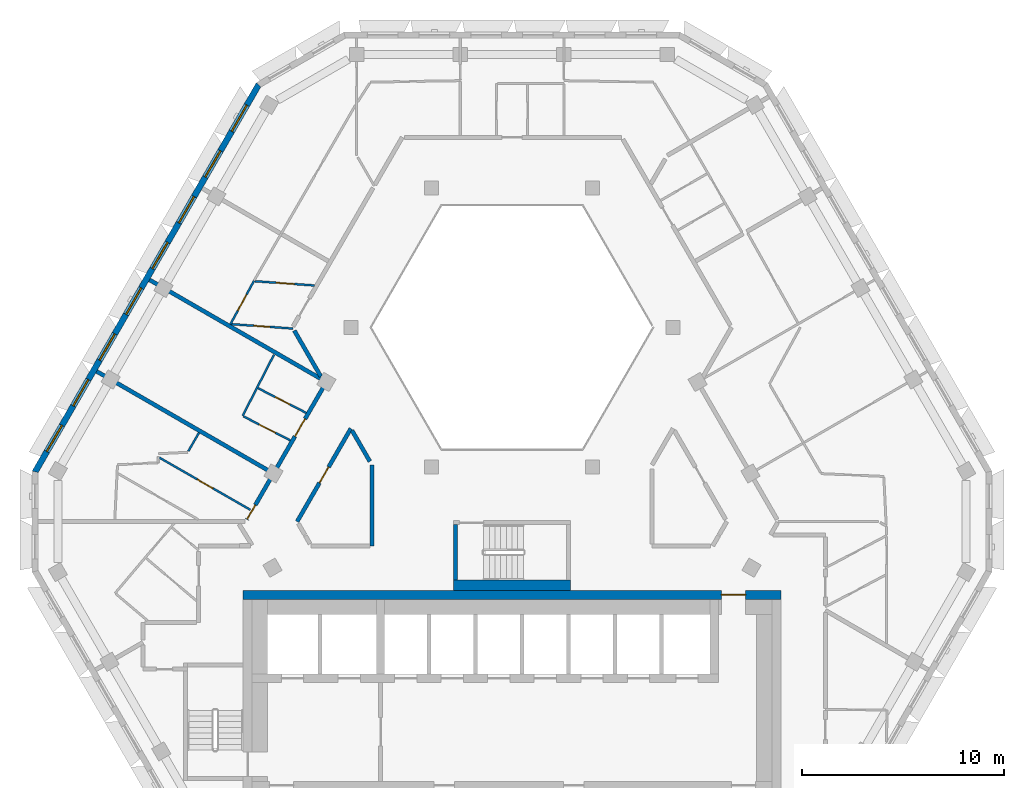
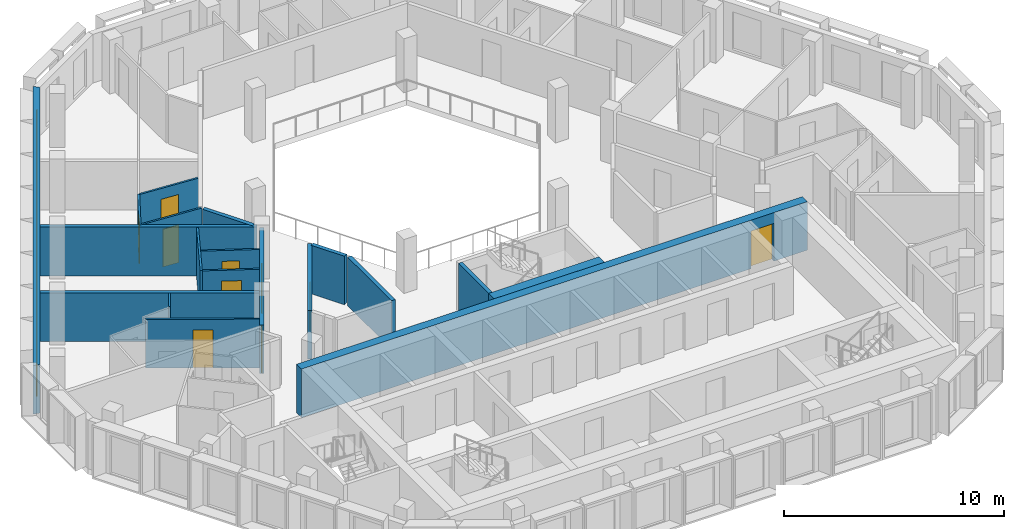
# One storey, part 5 of 16: 19 walls, 10 doors, 8 windows, 18 openings.
"""IFC4 building model written with IfcOpenShell, lengths in metres."""

from ifc_helpers import new_model, si_unit, direction, frame, frame_2d, origin, place, context, subcontext, project, spatial, polyline, rectangle, outline, extrude, material, layer, layer_set, type_object, element, fill, save


model = new_model("IFC4")

# Units and contexts
model_context = context("Model", 3, precision=1e-05, world=origin(), true_north=direction((0.0, 1.0)))
body_context = subcontext(model_context, "Body", "Model", "MODEL_VIEW")
ifc_project = project(units=[si_unit("LENGTHUNIT", "METRE"), si_unit("AREAUNIT", "SQUARE_METRE"), si_unit("VOLUMEUNIT", "CUBIC_METRE"), si_unit("PLANEANGLEUNIT", "RADIAN"), si_unit("MASSUNIT", "GRAM", prefix="KILO")], contexts=[model_context])

# Site, building, storey
site_placement = place(None, origin())
site = spatial("IfcSite", under=ifc_project, at=site_placement, CompositionType="ELEMENT")
building_placement = place(site_placement, origin())
building = spatial("IfcBuilding", under=site, at=building_placement, Name="Beryl Residences", CompositionType="ELEMENT")
storey_placement = place(building_placement, frame((0.0, 0.0, 208.800048828125)))
storey = spatial("IfcBuildingStorey", under=building, at=storey_placement, Name="L64", CompositionType="ELEMENT", Elevation=208.800048828125)

# Wall, openings, windows
ifc_material_1 = material(Name="Composite metal panel with mineral wool insulation")
ifc_layer_1 = layer(ifc_material_1, 0.300048828125)
ifc_layer_set_1 = layer_set([ifc_layer_1], Name="ES1 pale metal composite panel wall 300 mm")
wall_type_1 = type_object("IfcWallType", Name="ES1 pale metal composite panel wall 300 mm", PredefinedType="SOLIDWALL", material=ifc_layer_set_1)
wall_1_placement = place(storey_placement, frame((-12.513916015625, 20.02490234375, 0.0), z_axis=(0.0, 0.0, 1.0), x_axis=(-0.500003656944, -0.866023292436, 0.0)))
wall_1 = element("IfcWall", 1, at=wall_1_placement, inside=storey, type_object=wall_type_1, Name="ES1 external wall L64 NW", PredefinedType="SOLIDWALL", context=body_context, shape_type="SweptSolid", body=[
    extrude(outline(polyline([(0.0, -0.14990234375), (22.170166015625, -0.14990234375), (22.08984375, 0.14990234375), (0.080322265625, 0.14990234375), (0.0, -0.14990234375)])), origin(), (0.0, 0.0, 1.0), 2.699951171875),
])
opening_1_placement = place(wall_1_placement, frame((1.19091796875, 0.0, 0.14990234375)))
opening_1 = element("IfcOpeningElement", 2, at=opening_1_placement, cuts=wall_1, Name="Opening W1", PredefinedType="OPENING", context=body_context, shape_type="SweptSolid", body=[
    extrude(rectangle(XDim=1.5, YDim=2.10009765625, at=frame_2d((0.75, 1.050048828125))), frame((0.0, 0.159912109375, 0.0), z_axis=(0.0, -1.0, 0.0), x_axis=(1.0, 0.0, 0.0)), (0.0, 0.0, 1.0), 0.320068359375),
])
opening_2_placement = place(wall_1_placement, frame((3.803955078125, 0.0, 0.14990234375)))
opening_2 = element("IfcOpeningElement", 3, at=opening_2_placement, cuts=wall_1, Name="Opening W1", PredefinedType="OPENING", context=body_context, shape_type="SweptSolid", body=[
    extrude(rectangle(XDim=1.5, YDim=2.10009765625, at=frame_2d((0.75, 1.050048828125))), frame((0.0, 0.159912109375, 0.0), z_axis=(0.0, -1.0, 0.0), x_axis=(1.0, 0.0, 0.0)), (0.0, 0.0, 1.0), 0.320068359375),
])
opening_3_placement = place(wall_1_placement, frame((6.416015625, 0.0, 0.14990234375)))
opening_3 = element("IfcOpeningElement", 4, at=opening_3_placement, cuts=wall_1, Name="Opening W1", PredefinedType="OPENING", context=body_context, shape_type="SweptSolid", body=[
    extrude(rectangle(XDim=1.5, YDim=2.10009765625, at=frame_2d((0.75, 1.050048828125))), frame((0.0, 0.159912109375, 0.0), z_axis=(0.0, -1.0, 0.0), x_axis=(1.0, 0.0, 0.0)), (0.0, 0.0, 1.0), 0.320068359375),
])
opening_4_placement = place(wall_1_placement, frame((9.029052734375, 0.0, 0.14990234375)))
opening_4 = element("IfcOpeningElement", 5, at=opening_4_placement, cuts=wall_1, Name="Opening W1", PredefinedType="OPENING", context=body_context, shape_type="SweptSolid", body=[
    extrude(rectangle(XDim=1.5, YDim=2.10009765625, at=frame_2d((0.75, 1.050048828125))), frame((0.0, 0.159912109375, 0.0), z_axis=(0.0, -1.0, 0.0), x_axis=(1.0, 0.0, 0.0)), (0.0, 0.0, 1.0), 0.320068359375),
])
opening_5_placement = place(wall_1_placement, frame((11.64111328125, 0.0, 0.14990234375)))
opening_5 = element("IfcOpeningElement", 6, at=opening_5_placement, cuts=wall_1, Name="Opening W1", PredefinedType="OPENING", context=body_context, shape_type="SweptSolid", body=[
    extrude(rectangle(XDim=1.5, YDim=2.10009765625, at=frame_2d((0.75, 1.050048828125))), frame((0.0, 0.159912109375, 0.0), z_axis=(0.0, -1.0, 0.0), x_axis=(1.0, 0.0, 0.0)), (0.0, 0.0, 1.0), 0.320068359375),
])
opening_6_placement = place(wall_1_placement, frame((14.25390625, 0.0, 0.14990234375)))
opening_6 = element("IfcOpeningElement", 7, at=opening_6_placement, cuts=wall_1, Name="Opening W1", PredefinedType="OPENING", context=body_context, shape_type="SweptSolid", body=[
    extrude(rectangle(XDim=1.5, YDim=2.10009765625, at=frame_2d((0.75, 1.050048828125))), frame((0.0, 0.159912109375, 0.0), z_axis=(0.0, -1.0, 0.0), x_axis=(1.0, 0.0, 0.0)), (0.0, 0.0, 1.0), 0.320068359375),
])
opening_7_placement = place(wall_1_placement, frame((16.865966796875, 0.0, 0.14990234375)))
opening_7 = element("IfcOpeningElement", 8, at=opening_7_placement, cuts=wall_1, Name="Opening W1", PredefinedType="OPENING", context=body_context, shape_type="SweptSolid", body=[
    extrude(rectangle(XDim=1.5, YDim=2.10009765625, at=frame_2d((0.75, 1.050048828125))), frame((0.0, 0.159912109375, 0.0), z_axis=(0.0, -1.0, 0.0), x_axis=(1.0, 0.0, 0.0)), (0.0, 0.0, 1.0), 0.320068359375),
])
opening_8_placement = place(wall_1_placement, frame((19.47900390625, 0.0, 0.14990234375)))
opening_8 = element("IfcOpeningElement", 9, at=opening_8_placement, cuts=wall_1, Name="Opening W1", PredefinedType="OPENING", context=body_context, shape_type="SweptSolid", body=[
    extrude(rectangle(XDim=1.5, YDim=2.10009765625, at=frame_2d((0.75, 1.050048828125))), frame((0.0, 0.159912109375, 0.0), z_axis=(0.0, -1.0, 0.0), x_axis=(1.0, 0.0, 0.0)), (0.0, 0.0, 1.0), 0.320068359375),
])
ifc_material_2 = material(Name="Aluminium and clear glass", Category="aluminium")
window_type = type_object("IfcWindowType", Name="W1 cell window 1500 x 2100 mm", PartitioningType="SINGLE_PANEL", PredefinedType="WINDOW", material=ifc_material_2)
window_1_placement = place(opening_1_placement, origin())
window_1 = element("IfcWindow", 10, at=window_1_placement, inside=storey, type_object=window_type, Name="W1 window L64 NW 1", OverallHeight=2.10009765625, OverallWidth=1.5, PartitioningType="SINGLE_PANEL", PredefinedType="WINDOW", context=body_context, shape_type="SweptSolid", body=[
    extrude(rectangle(XDim=1.5, YDim=2.10009765625, at=frame_2d((0.75, 1.050048828125))), frame((0.0, 0.030029296875, 0.0), z_axis=(0.0, -1.0, 0.0), x_axis=(1.0, 0.0, 0.0)), (0.0, 0.0, 1.0), 0.06005859375),
])
fill(opening_1, window_1)
window_2_placement = place(opening_2_placement, origin())
window_2 = element("IfcWindow", 11, at=window_2_placement, inside=storey, type_object=window_type, Name="W1 window L64 NW 2", OverallHeight=2.10009765625, OverallWidth=1.5, PartitioningType="SINGLE_PANEL", PredefinedType="WINDOW", context=body_context, shape_type="SweptSolid", body=[
    extrude(rectangle(XDim=1.5, YDim=2.10009765625, at=frame_2d((0.75, 1.050048828125))), frame((0.0, 0.030029296875, 0.0), z_axis=(0.0, -1.0, 0.0), x_axis=(1.0, 0.0, 0.0)), (0.0, 0.0, 1.0), 0.06005859375),
])
fill(opening_2, window_2)
window_3_placement = place(opening_3_placement, origin())
window_3 = element("IfcWindow", 12, at=window_3_placement, inside=storey, type_object=window_type, Name="W1 window L64 NW 3", OverallHeight=2.10009765625, OverallWidth=1.5, PartitioningType="SINGLE_PANEL", PredefinedType="WINDOW", context=body_context, shape_type="SweptSolid", body=[
    extrude(rectangle(XDim=1.5, YDim=2.10009765625, at=frame_2d((0.75, 1.050048828125))), frame((0.0, 0.030029296875, 0.0), z_axis=(0.0, -1.0, 0.0), x_axis=(1.0, 0.0, 0.0)), (0.0, 0.0, 1.0), 0.06005859375),
])
fill(opening_3, window_3)
window_4_placement = place(opening_4_placement, origin())
window_4 = element("IfcWindow", 13, at=window_4_placement, inside=storey, type_object=window_type, Name="W1 window L64 NW 4", OverallHeight=2.10009765625, OverallWidth=1.5, PartitioningType="SINGLE_PANEL", PredefinedType="WINDOW", context=body_context, shape_type="SweptSolid", body=[
    extrude(rectangle(XDim=1.5, YDim=2.10009765625, at=frame_2d((0.75, 1.050048828125))), frame((0.0, 0.030029296875, 0.0), z_axis=(0.0, -1.0, 0.0), x_axis=(1.0, 0.0, 0.0)), (0.0, 0.0, 1.0), 0.06005859375),
])
fill(opening_4, window_4)
window_5_placement = place(opening_5_placement, origin())
window_5 = element("IfcWindow", 14, at=window_5_placement, inside=storey, type_object=window_type, Name="W1 window L64 NW 5", OverallHeight=2.10009765625, OverallWidth=1.5, PartitioningType="SINGLE_PANEL", PredefinedType="WINDOW", context=body_context, shape_type="SweptSolid", body=[
    extrude(rectangle(XDim=1.5, YDim=2.10009765625, at=frame_2d((0.75, 1.050048828125))), frame((0.0, 0.030029296875, 0.0), z_axis=(0.0, -1.0, 0.0), x_axis=(1.0, 0.0, 0.0)), (0.0, 0.0, 1.0), 0.06005859375),
])
fill(opening_5, window_5)
window_6_placement = place(opening_6_placement, origin())
window_6 = element("IfcWindow", 15, at=window_6_placement, inside=storey, type_object=window_type, Name="W1 window L64 NW 6", OverallHeight=2.10009765625, OverallWidth=1.5, PartitioningType="SINGLE_PANEL", PredefinedType="WINDOW", context=body_context, shape_type="SweptSolid", body=[
    extrude(rectangle(XDim=1.5, YDim=2.10009765625, at=frame_2d((0.75, 1.050048828125))), frame((0.0, 0.030029296875, 0.0), z_axis=(0.0, -1.0, 0.0), x_axis=(1.0, 0.0, 0.0)), (0.0, 0.0, 1.0), 0.06005859375),
])
fill(opening_6, window_6)
window_7_placement = place(opening_7_placement, origin())
window_7 = element("IfcWindow", 16, at=window_7_placement, inside=storey, type_object=window_type, Name="W1 window L64 NW 7", OverallHeight=2.10009765625, OverallWidth=1.5, PartitioningType="SINGLE_PANEL", PredefinedType="WINDOW", context=body_context, shape_type="SweptSolid", body=[
    extrude(rectangle(XDim=1.5, YDim=2.10009765625, at=frame_2d((0.75, 1.050048828125))), frame((0.0, 0.030029296875, 0.0), z_axis=(0.0, -1.0, 0.0), x_axis=(1.0, 0.0, 0.0)), (0.0, 0.0, 1.0), 0.06005859375),
])
fill(opening_7, window_7)
window_8_placement = place(opening_8_placement, origin())
window_8 = element("IfcWindow", 17, at=window_8_placement, inside=storey, type_object=window_type, Name="W1 window L64 NW 8", OverallHeight=2.10009765625, OverallWidth=1.5, PartitioningType="SINGLE_PANEL", PredefinedType="WINDOW", context=body_context, shape_type="SweptSolid", body=[
    extrude(rectangle(XDim=1.5, YDim=2.10009765625, at=frame_2d((0.75, 1.050048828125))), frame((0.0, 0.030029296875, 0.0), z_axis=(0.0, -1.0, 0.0), x_axis=(1.0, 0.0, 0.0)), (0.0, 0.0, 1.0), 0.06005859375),
])
fill(opening_8, window_8)

# Wall, opening, door
ifc_material_3 = material(Name="Gypsum board partition on steel studs", Category="steel")
ifc_layer_2 = layer(ifc_material_3, 0.10009765625)
ifc_layer_set_2 = layer_set([ifc_layer_2], Name="PT1 partition 100 mm gypsum board on steel studs")
wall_type_2 = type_object("IfcWallType", Name="PT1 partition 100 mm gypsum board on steel studs", PredefinedType="PARTITIONING", material=ifc_layer_set_2)
wall_2_placement = place(storey_placement, frame((-12.56201171875, 4.9951171875, 0.0), z_axis=(0.0, 0.0, 1.0), x_axis=(0.889807979554, -0.456335139478, 0.0)))
wall_2 = element("IfcWall", 18, at=wall_2_placement, inside=storey, type_object=wall_type_2, Name="Wall PT1 L64 015", PredefinedType="PARTITIONING", context=body_context, shape_type="SweptSolid", body=[
    extrude(rectangle(XDim=2.680419921875, YDim=0.10009765625, at=frame_2d((1.34033203125, 0.0))), origin(), (0.0, 0.0, 1.0), 2.699951171875),
])
opening_9_placement = place(wall_2_placement, frame((0.965087890625, 0.0, 0.0)))
opening_9 = element("IfcOpeningElement", 19, at=opening_9_placement, cuts=wall_2, Name="Opening D1816", PredefinedType="OPENING", context=body_context, shape_type="SweptSolid", body=[
    extrude(rectangle(XDim=0.800048828125, YDim=2.10009765625, at=frame_2d((0.39990234375, 1.050048828125))), frame((0.0, 0.06005859375, 0.0), z_axis=(0.0, -1.0, 0.0), x_axis=(1.0, 0.0, 0.0)), (0.0, 0.0, 1.0), 0.1201171875),
])
ifc_material_4 = material(Name="Timber door leaf", Category="wood")
door_type_1 = type_object("IfcDoorType", Name="D3 bathroom door 800 x 2100 mm", OperationType="SINGLE_SWING_LEFT", PredefinedType="DOOR", material=ifc_material_4)
door_1_placement = place(opening_9_placement, origin())
door_1 = element("IfcDoor", 20, at=door_1_placement, inside=storey, type_object=door_type_1, Name="Door D1816 L64 001", OperationType="SINGLE_SWING_RIGHT", OverallHeight=2.10009765625, OverallWidth=0.800048828125, PredefinedType="DOOR", context=body_context, shape_type="SweptSolid", body=[
    extrude(rectangle(XDim=0.800048828125, YDim=2.10009765625, at=frame_2d((0.39990234375, 1.050048828125))), frame((0.0, 0.02490234375, 0.0), z_axis=(0.0, -1.0, 0.0), x_axis=(1.0, 0.0, 0.0)), (0.0, 0.0, 1.0), 0.050048828125),
])
fill(opening_9, door_1)

wall_3_placement = place(storey_placement, frame((-13.277099609375, 3.597900390625, 0.0), z_axis=(0.0, 0.0, 1.0), x_axis=(0.889780322893, -0.456389063182, 0.0)))
wall_3 = element("IfcWall", 21, at=wall_3_placement, inside=storey, type_object=wall_type_2, Name="Wall PT1 L64 016", PredefinedType="PARTITIONING", context=body_context, shape_type="SweptSolid", body=[
    extrude(rectangle(XDim=2.600830078125, YDim=0.10009765625, at=frame_2d((1.30029296875, 0.0))), origin(), (0.0, 0.0, 1.0), 2.699951171875),
])
opening_10_placement = place(wall_3_placement, frame((0.875, 0.0, 0.0)))
opening_10 = element("IfcOpeningElement", 22, at=opening_10_placement, cuts=wall_3, Name="Opening D1815", PredefinedType="OPENING", context=body_context, shape_type="SweptSolid", body=[
    extrude(rectangle(XDim=0.89990234375, YDim=2.10009765625, at=frame_2d((0.449951171875, 1.050048828125))), frame((0.0, 0.06005859375, 0.0), z_axis=(0.0, -1.0, 0.0), x_axis=(1.0, 0.0, 0.0)), (0.0, 0.0, 1.0), 0.1201171875),
])
ifc_material_5 = material(Name="Timber door leaf", Category="wood")
door_type_2 = type_object("IfcDoorType", Name="D2 room door 900 x 2100 mm", OperationType="SINGLE_SWING_LEFT", PredefinedType="DOOR", material=ifc_material_5)
door_2_placement = place(opening_10_placement, origin())
door_2 = element("IfcDoor", 23, at=door_2_placement, inside=storey, type_object=door_type_2, Name="Door D1815 L64 001", OperationType="SINGLE_SWING_LEFT", OverallHeight=2.10009765625, OverallWidth=0.89990234375, PredefinedType="DOOR", context=body_context, shape_type="SweptSolid", body=[
    extrude(rectangle(XDim=0.89990234375, YDim=2.10009765625, at=frame_2d((0.449951171875, 1.050048828125))), frame((0.0, 0.02490234375, 0.0), z_axis=(0.0, -1.0, 0.0), x_axis=(1.0, 0.0, 0.0)), (0.0, 0.0, 1.0), 0.050048828125),
])
fill(opening_10, door_2)

wall_4_placement = place(storey_placement, frame((-17.44091796875, 1.56201171875, 0.0), z_axis=(0.0, 0.0, 1.0), x_axis=(0.867419073464, -0.497578286293, 0.0)))
wall_4 = element("IfcWall", 24, at=wall_4_placement, inside=storey, type_object=wall_type_2, Name="Wall PT1 L64 017", PredefinedType="PARTITIONING", context=body_context, shape_type="SweptSolid", body=[
    extrude(rectangle(XDim=5.185302734375, YDim=0.10009765625, at=frame_2d((2.5927734375, 0.0))), origin(), (0.0, 0.0, 1.0), 2.699951171875),
])
opening_11_placement = place(wall_4_placement, frame((2.1650390625, 0.0, 0.0)))
opening_11 = element("IfcOpeningElement", 25, at=opening_11_placement, cuts=wall_4, Name="Opening D1818", PredefinedType="OPENING", context=body_context, shape_type="SweptSolid", body=[
    extrude(rectangle(XDim=0.89990234375, YDim=2.10009765625, at=frame_2d((0.449951171875, 1.050048828125))), frame((0.0, 0.06005859375, 0.0), z_axis=(0.0, -1.0, 0.0), x_axis=(1.0, 0.0, 0.0)), (0.0, 0.0, 1.0), 0.1201171875),
])
door_3_placement = place(opening_11_placement, origin())
door_3 = element("IfcDoor", 26, at=door_3_placement, inside=storey, type_object=door_type_2, Name="Door D1818 L64 001", OperationType="SINGLE_SWING_RIGHT", OverallHeight=2.10009765625, OverallWidth=0.89990234375, PredefinedType="DOOR", context=body_context, shape_type="SweptSolid", body=[
    extrude(rectangle(XDim=0.89990234375, YDim=2.10009765625, at=frame_2d((0.449951171875, 1.050048828125))), frame((0.0, 0.02490234375, 0.0), z_axis=(0.0, -1.0, 0.0), x_axis=(1.0, 0.0, 0.0)), (0.0, 0.0, 1.0), 0.050048828125),
])
fill(opening_11, door_3)

wall_5_placement = place(storey_placement, frame((-13.865966796875, 8.158935546875, 0.0), z_axis=(0.0, 0.0, 1.0), x_axis=(0.9974481372, -0.071394772886, 0.0)))
wall_5 = element("IfcWall", 27, at=wall_5_placement, inside=storey, type_object=wall_type_2, Name="Wall PT1 L64 020", PredefinedType="PARTITIONING", context=body_context, shape_type="SweptSolid", body=[
    extrude(rectangle(XDim=3.0537109375, YDim=0.10009765625, at=frame_2d((1.52685546875, 0.0))), origin(), (0.0, 0.0, 1.0), 2.699951171875),
])
opening_12_placement = place(wall_5_placement, frame((1.09912109375, 0.0, 0.0)))
opening_12 = element("IfcOpeningElement", 28, at=opening_12_placement, cuts=wall_5, Name="Opening D1812", PredefinedType="OPENING", context=body_context, shape_type="SweptSolid", body=[
    extrude(rectangle(XDim=0.800048828125, YDim=2.10009765625, at=frame_2d((0.39990234375, 1.050048828125))), frame((0.0, 0.06005859375, 0.0), z_axis=(0.0, -1.0, 0.0), x_axis=(1.0, 0.0, 0.0)), (0.0, 0.0, 1.0), 0.1201171875),
])
door_4_placement = place(opening_12_placement, origin())
door_4 = element("IfcDoor", 29, at=door_4_placement, inside=storey, type_object=door_type_1, Name="Door D1812 L64 001", OperationType="SINGLE_SWING_RIGHT", OverallHeight=2.10009765625, OverallWidth=0.800048828125, PredefinedType="DOOR", context=body_context, shape_type="SweptSolid", body=[
    extrude(rectangle(XDim=0.800048828125, YDim=2.10009765625, at=frame_2d((0.39990234375, 1.050048828125))), frame((0.0, 0.02490234375, 0.0), z_axis=(0.0, -1.0, 0.0), x_axis=(1.0, 0.0, 0.0)), (0.0, 0.0, 1.0), 0.050048828125),
])
fill(opening_12, door_4)

wall_6_placement = place(storey_placement, frame((-12.7119140625, 10.281982421875, 0.0), z_axis=(0.0, 0.0, 1.0), x_axis=(0.997457858552, -0.071258826911, 0.0)))
wall_6 = element("IfcWall", 30, at=wall_6_placement, inside=storey, type_object=wall_type_2, Name="Wall PT1 L64 021", PredefinedType="PARTITIONING", context=body_context, shape_type="SweptSolid", body=[
    extrude(rectangle(XDim=2.946533203125, YDim=0.10009765625, at=frame_2d((1.47314453125, 0.0))), origin(), (0.0, 0.0, 1.0), 2.699951171875),
])
opening_13_placement = place(wall_6_placement, frame((1.051025390625, 0.0, 0.0)))
opening_13 = element("IfcOpeningElement", 31, at=opening_13_placement, cuts=wall_6, Name="Opening D1811", PredefinedType="OPENING", context=body_context, shape_type="SweptSolid", body=[
    extrude(rectangle(XDim=0.89990234375, YDim=2.10009765625, at=frame_2d((0.449951171875, 1.050048828125))), frame((0.0, 0.06005859375, 0.0), z_axis=(0.0, -1.0, 0.0), x_axis=(1.0, 0.0, 0.0)), (0.0, 0.0, 1.0), 0.1201171875),
])
door_5_placement = place(opening_13_placement, origin())
door_5 = element("IfcDoor", 32, at=door_5_placement, inside=storey, type_object=door_type_2, Name="Door D1811 L64 001", OperationType="SINGLE_SWING_LEFT", OverallHeight=2.10009765625, OverallWidth=0.89990234375, PredefinedType="DOOR", context=body_context, shape_type="SweptSolid", body=[
    extrude(rectangle(XDim=0.89990234375, YDim=2.10009765625, at=frame_2d((0.449951171875, 1.050048828125))), frame((0.0, 0.02490234375, 0.0), z_axis=(0.0, -1.0, 0.0), x_axis=(1.0, 0.0, 0.0)), (0.0, 0.0, 1.0), 0.050048828125),
])
fill(opening_13, door_5)

# Wall
wall_7_placement = place(storey_placement, frame((-16.006103515625, 1.8759765625, 0.0), z_axis=(0.0, 0.0, 1.0), x_axis=(0.499949632511, 0.866054481515, 0.0)))
element("IfcWall", 33, at=wall_7_placement, inside=storey, type_object=wall_type_2, Name="Wall PT1 L64 029", PredefinedType="PARTITIONING", context=body_context, shape_type="SweptSolid", body=[
    extrude(rectangle(XDim=1.05419921875, YDim=0.10009765625, at=frame_2d((0.527099609375, 0.0))), origin(), (0.0, 0.0, 1.0), 2.699951171875),
])

# Wall, opening, door
wall_8_placement = place(storey_placement, frame((-13.929931640625, 8.14501953125, 0.0), z_axis=(0.0, 0.0, 1.0), x_axis=(0.477194887681, 0.878797496111, 0.0)))
wall_8 = element("IfcWall", 34, at=wall_8_placement, inside=storey, type_object=wall_type_2, Name="Wall PT1 L64 032", PredefinedType="PARTITIONING", context=body_context, shape_type="SweptSolid", body=[
    extrude(rectangle(XDim=2.457763671875, YDim=0.10009765625, at=frame_2d((1.22900390625, 0.0))), origin(), (0.0, 0.0, 1.0), 2.699951171875),
])
opening_14_placement = place(wall_8_placement, frame((0.779052734375, 0.0, 0.0)))
opening_14 = element("IfcOpeningElement", 35, at=opening_14_placement, cuts=wall_8, Name="Opening D1813", PredefinedType="OPENING", context=body_context, shape_type="SweptSolid", body=[
    extrude(rectangle(XDim=0.89990234375, YDim=2.10009765625, at=frame_2d((0.449951171875, 1.050048828125))), frame((0.0, 0.06005859375, 0.0), z_axis=(0.0, -1.0, 0.0), x_axis=(1.0, 0.0, 0.0)), (0.0, 0.0, 1.0), 0.1201171875),
])
door_6_placement = place(opening_14_placement, origin())
door_6 = element("IfcDoor", 36, at=door_6_placement, inside=storey, type_object=door_type_2, Name="Door D1813 L64 001", OperationType="SINGLE_SWING_LEFT", OverallHeight=2.10009765625, OverallWidth=0.89990234375, PredefinedType="DOOR", context=body_context, shape_type="SweptSolid", body=[
    extrude(rectangle(XDim=0.89990234375, YDim=2.10009765625, at=frame_2d((0.449951171875, 1.050048828125))), frame((0.0, 0.02490234375, 0.0), z_axis=(0.0, -1.0, 0.0), x_axis=(1.0, 0.0, 0.0)), (0.0, 0.0, 1.0), 0.050048828125),
])
fill(opening_14, door_6)

# Walls
wall_9_placement = place(storey_placement, frame((-13.322021484375, 3.6220703125, 0.0), z_axis=(0.0, 0.0, 1.0), x_axis=(0.456157649007, 0.889898982611, 0.0)))
element("IfcWall", 37, at=wall_9_placement, inside=storey, type_object=wall_type_2, Name="Wall PT1 L64 033", PredefinedType="PARTITIONING", context=body_context, shape_type="SweptSolid", body=[
    extrude(rectangle(XDim=3.39794921875, YDim=0.10009765625, at=frame_2d((1.698974609375, 0.0))), origin(), (0.0, 0.0, 1.0), 2.699951171875),
])
ifc_material_6 = material(Name="Acoustic double stud gypsum board wall")
ifc_layer_3 = layer(ifc_material_6, 0.199951171875)
ifc_layer_set_3 = layer_set([ifc_layer_3], Name="PT3 party wall 200 mm acoustic double stud")
wall_type_3 = type_object("IfcWallType", Name="PT3 party wall 200 mm acoustic double stud", PredefinedType="PARTITIONING", material=ifc_layer_set_3)
wall_10_placement = place(storey_placement, frame((-20.5390625, 5.824951171875, 0.0), z_axis=(0.0, 0.0, 1.0), x_axis=(0.866028187226, -0.499995178908, 0.0)))
element("IfcWall", 38, at=wall_10_placement, inside=storey, type_object=wall_type_3, Name="Wall PT3 L64 002", PredefinedType="PARTITIONING", context=body_context, shape_type="SweptSolid", body=[
    extrude(rectangle(XDim=9.99609375, YDim=0.199951171875, at=frame_2d((4.998046875, 0.0))), origin(), (0.0, 0.0, 1.0), 2.699951171875),
])
wall_11_placement = place(storey_placement, frame((-17.926025390625, 10.35009765625, 0.0), z_axis=(0.0, 0.0, 1.0), x_axis=(0.866018411306, -0.500012111133, 0.0)))
element("IfcWall", 39, at=wall_11_placement, inside=storey, type_object=wall_type_3, Name="Wall PT3 L64 003", PredefinedType="PARTITIONING", context=body_context, shape_type="SweptSolid", body=[
    extrude(rectangle(XDim=9.898193359375, YDim=0.199951171875, at=frame_2d((4.94921875, 0.0))), origin(), (0.0, 0.0, 1.0), 2.699951171875),
])
ifc_material_7 = material(Name="Double stud gypsum board wall")
ifc_layer_4 = layer(ifc_material_7, 0.199951171875)
ifc_layer_set_4 = layer_set([ifc_layer_4], Name="PT4 corridor wall 200 mm double stud")
wall_type_4 = type_object("IfcWallType", Name="PT4 corridor wall 200 mm double stud", PredefinedType="PARTITIONING", material=ifc_layer_set_4)
wall_12_placement = place(storey_placement, frame((-10.762939453125, 7.841064453125, 0.0), z_axis=(0.0, 0.0, 1.0), x_axis=(0.499980792466, -0.866036492975, 0.0)))
element("IfcWall", 40, at=wall_12_placement, inside=storey, type_object=wall_type_4, Name="Wall PT4 L64 001", PredefinedType="PARTITIONING", context=body_context, shape_type="SweptSolid", body=[
    extrude(rectangle(XDim=2.61767578125, YDim=0.199951171875, at=frame_2d((1.308837890625, 0.0))), origin(), (0.0, 0.0, 1.0), 2.699951171875),
])
wall_13_placement = place(storey_placement, frame((-7.908935546875, 2.89794921875, 0.0), z_axis=(0.0, 0.0, 1.0), x_axis=(0.50019444547, -0.865913111531, 0.0)))
element("IfcWall", 41, at=wall_13_placement, inside=storey, type_object=wall_type_4, Name="Wall PT4 L64 002", PredefinedType="PARTITIONING", context=body_context, shape_type="SweptSolid", body=[
    extrude(rectangle(XDim=1.760986328125, YDim=0.199951171875, at=frame_2d((0.88037109375, 0.0))), origin(), (0.0, 0.0, 1.0), 2.699951171875),
])

# Wall, opening, door
wall_14_placement = place(storey_placement, frame((-10.623046875, -1.60009765625, 0.0), z_axis=(0.0, 0.0, 1.0), x_axis=(0.500040865889, 0.866001808567, 0.0)))
wall_14 = element("IfcWall", 42, at=wall_14_placement, inside=storey, type_object=wall_type_4, Name="Wall PT4 L64 025", PredefinedType="PARTITIONING", context=body_context, shape_type="SweptSolid", body=[
    extrude(rectangle(XDim=5.3095703125, YDim=0.199951171875, at=frame_2d((2.65478515625, 0.0))), origin(), (0.0, 0.0, 1.0), 2.699951171875),
])
opening_15_placement = place(wall_14_placement, frame((2.205078125, 0.0, 0.0)))
opening_15 = element("IfcOpeningElement", 43, at=opening_15_placement, cuts=wall_14, Name="Opening D1842", PredefinedType="OPENING", context=body_context, shape_type="SweptSolid", body=[
    extrude(rectangle(XDim=0.89990234375, YDim=2.10009765625, at=frame_2d((0.449951171875, 1.050048828125))), frame((0.0, 0.10986328125, 0.0), z_axis=(0.0, -1.0, 0.0), x_axis=(1.0, 0.0, 0.0)), (0.0, 0.0, 1.0), 0.219970703125),
])
door_7_placement = place(opening_15_placement, origin())
door_7 = element("IfcDoor", 44, at=door_7_placement, inside=storey, type_object=door_type_2, Name="Door D1842 L64 001", OperationType="SINGLE_SWING_RIGHT", OverallHeight=2.10009765625, OverallWidth=0.89990234375, PredefinedType="DOOR", context=body_context, shape_type="SweptSolid", body=[
    extrude(rectangle(XDim=0.89990234375, YDim=2.10009765625, at=frame_2d((0.449951171875, 1.050048828125))), frame((0.0, 0.02490234375, 0.0), z_axis=(0.0, -1.0, 0.0), x_axis=(1.0, 0.0, 0.0)), (0.0, 0.0, 1.0), 0.050048828125),
])
fill(opening_15, door_7)

# Wall, openings, doors
wall_15_placement = place(storey_placement, frame((-13.10595703125, -1.5, 0.0), z_axis=(0.0, 0.0, 1.0), x_axis=(0.500025705601, 0.86601056214, 0.0)))
wall_15 = element("IfcWall", 45, at=wall_15_placement, inside=storey, type_object=wall_type_4, Name="Wall PT4 L64 026", PredefinedType="PARTITIONING", context=body_context, shape_type="SweptSolid", body=[
    extrude(rectangle(XDim=7.7353515625, YDim=0.199951171875, at=frame_2d((3.86767578125, 0.0))), origin(), (0.0, 0.0, 1.0), 2.699951171875),
])
opening_16_placement = place(wall_15_placement, frame((4.748046875, 0.0, 0.0)))
opening_16 = element("IfcOpeningElement", 46, at=opening_16_placement, cuts=wall_15, Name="Opening D1814", PredefinedType="OPENING", context=body_context, shape_type="SweptSolid", body=[
    extrude(rectangle(XDim=1.0, YDim=2.10009765625, at=frame_2d((0.5, 1.050048828125))), frame((0.0, 0.10986328125, 0.0), z_axis=(0.0, -1.0, 0.0), x_axis=(1.0, 0.0, 0.0)), (0.0, 0.0, 1.0), 0.219970703125),
])
opening_17_placement = place(wall_15_placement, frame((0.030029296875, 0.0, 0.0)))
opening_17 = element("IfcOpeningElement", 47, at=opening_17_placement, cuts=wall_15, Name="Opening D1817", PredefinedType="OPENING", context=body_context, shape_type="SweptSolid", body=[
    extrude(rectangle(XDim=0.800048828125, YDim=2.10009765625, at=frame_2d((0.39990234375, 1.050048828125))), frame((0.0, 0.10986328125, 0.0), z_axis=(0.0, -1.0, 0.0), x_axis=(1.0, 0.0, 0.0)), (0.0, 0.0, 1.0), 0.219970703125),
])
ifc_material_8 = material(Name="Timber door leaf", Category="wood")
door_type_3 = type_object("IfcDoorType", Name="D1 flat entrance door 1000 x 2100 mm", OperationType="SINGLE_SWING_LEFT", PredefinedType="DOOR", material=ifc_material_8)
door_8_placement = place(opening_16_placement, origin())
door_8 = element("IfcDoor", 48, at=door_8_placement, inside=storey, type_object=door_type_3, Name="Door D1814 L64 001", OperationType="SINGLE_SWING_RIGHT", OverallHeight=2.10009765625, OverallWidth=1.0, PredefinedType="DOOR", context=body_context, shape_type="SweptSolid", body=[
    extrude(rectangle(XDim=1.0, YDim=2.10009765625, at=frame_2d((0.5, 1.050048828125))), frame((0.0, 0.02490234375, 0.0), z_axis=(0.0, -1.0, 0.0), x_axis=(1.0, 0.0, 0.0)), (0.0, 0.0, 1.0), 0.050048828125),
])
fill(opening_16, door_8)
ifc_material_9 = material(Name="Timber door leaf", Category="wood")
door_type_4 = type_object("IfcDoorType", Name="D12 flat entrance door 800 x 2100 mm", OperationType="SINGLE_SWING_LEFT", PredefinedType="DOOR", material=ifc_material_9)
door_9_placement = place(opening_17_placement, origin())
door_9 = element("IfcDoor", 49, at=door_9_placement, inside=storey, type_object=door_type_4, Name="Door D1817 L64 001", OperationType="SINGLE_SWING_LEFT", OverallHeight=2.10009765625, OverallWidth=0.800048828125, PredefinedType="DOOR", context=body_context, shape_type="SweptSolid", body=[
    extrude(rectangle(XDim=0.800048828125, YDim=2.10009765625, at=frame_2d((0.39990234375, 1.050048828125))), frame((0.0, 0.02490234375, 0.0), z_axis=(0.0, -1.0, 0.0), x_axis=(1.0, 0.0, 0.0)), (0.0, 0.0, 1.0), 0.050048828125),
])
fill(opening_17, door_9)

# Walls
wall_16_placement = place(storey_placement, frame((-6.927978515625, -2.799072265625, 0.0), z_axis=(0.0, 0.0, 1.0), x_axis=(0.0, 1.0, 0.0)))
element("IfcWall", 50, at=wall_16_placement, inside=storey, type_object=wall_type_4, Name="Wall PT4 L64 031", PredefinedType="PARTITIONING", context=body_context, shape_type="SweptSolid", body=[
    extrude(rectangle(XDim=3.9990234375, YDim=0.199951171875, at=frame_2d((1.99951171875, 0.0))), origin(), (0.0, 0.0, 1.0), 2.699951171875),
])
ifc_material_10 = material(Name="Concrete C40/50", Category="concrete")
ifc_layer_5 = layer(ifc_material_10, 0.199951171875)
ifc_layer_set_5 = layer_set([ifc_layer_5], Name="PT5 stair enclosure wall 200 mm reinforced concrete C40/50")
wall_type_5 = type_object("IfcWallType", Name="PT5 stair enclosure wall 200 mm reinforced concrete C40/50", PredefinedType="SOLIDWALL", material=ifc_layer_set_5)
wall_17_placement = place(storey_placement, frame((-2.800048828125, -4.5, 0.0), z_axis=(0.0, 0.0, 1.0), x_axis=(0.0, 1.0, 0.0)))
element("IfcWall", 51, at=wall_17_placement, inside=storey, type_object=wall_type_5, Name="Wall PT5 L64 002", PredefinedType="SOLIDWALL", context=body_context, shape_type="SweptSolid", body=[
    extrude(rectangle(XDim=2.75, YDim=0.199951171875, at=frame_2d((1.375, 0.0))), origin(), (0.0, 0.0, 1.0), 2.699951171875),
])
ifc_material_11 = material(Name="Concrete C40/50", Category="concrete")
ifc_layer_6 = layer(ifc_material_11, 0.5)
ifc_layer_set_6 = layer_set([ifc_layer_6], Name="PT5-500 stair enclosure wall 500 mm")
wall_type_6 = type_object("IfcWallType", Name="PT5-500 stair enclosure wall 500 mm", PredefinedType="SOLIDWALL", material=ifc_layer_set_6)
wall_18_placement = place(storey_placement, frame((-2.89990234375, -4.75, 0.0), z_axis=(0.0, 0.0, 1.0), x_axis=(1.0, 0.0, 0.0)))
element("IfcWall", 52, at=wall_18_placement, inside=storey, type_object=wall_type_6, Name="Wall PT5-500 L64 001", PredefinedType="SOLIDWALL", context=body_context, shape_type="SweptSolid", body=[
    extrude(rectangle(XDim=5.7998046875, YDim=0.5, at=frame_2d((2.89990234375, 0.0))), origin(), (0.0, 0.0, 1.0), 2.699951171875),
])

# Wall, opening, door
ifc_material_12 = material(Name="Concrete C50/60", Category="concrete")
ifc_layer_7 = layer(ifc_material_12, 0.449951171875)
ifc_layer_set_7 = layer_set([ifc_layer_7], Name="SW5 core outer wall 450 mm C50/60")
wall_type_7 = type_object("IfcWallType", Name="SW5 core outer wall 450 mm C50/60", PredefinedType="SHEAR", material=ifc_layer_set_7)
wall_19_placement = place(storey_placement, frame((-13.300048828125, -5.22509765625, 0.0), z_axis=(0.0, 0.0, 1.0), x_axis=(1.0, 0.0, 0.0)))
wall_19 = element("IfcWall", 53, at=wall_19_placement, inside=storey, type_object=wall_type_7, Name="Core wall N L64", PredefinedType="SHEAR", context=body_context, shape_type="SweptSolid", body=[
    extrude(rectangle(XDim=26.60009765625, YDim=0.449951171875, at=frame_2d((13.300048828125, 0.0))), origin(), (0.0, 0.0, 1.0), 2.699951171875),
])
opening_18_placement = place(wall_19_placement, frame((23.64990234375, 0.0, 0.0)))
opening_18 = element("IfcOpeningElement", 54, at=opening_18_placement, cuts=wall_19, Name="Opening FD-NORTH", PredefinedType="OPENING", context=body_context, shape_type="SweptSolid", body=[
    extrude(rectangle(XDim=1.199951171875, YDim=2.10009765625, at=frame_2d((0.60009765625, 1.050048828125))), frame((0.0, 0.23486328125, 0.0), z_axis=(0.0, -1.0, 0.0), x_axis=(1.0, 0.0, 0.0)), (0.0, 0.0, 1.0), 0.469970703125),
])
ifc_material_13 = material(Name="Steel door leaf in steel frame", Category="steel")
door_type_5 = type_object("IfcDoorType", Name="D22 lobby door 1200 x 2100 mm", OperationType="DOUBLE_DOOR_SINGLE_SWING", PredefinedType="DOOR", material=ifc_material_13)
door_10_placement = place(opening_18_placement, origin())
door_10 = element("IfcDoor", 55, at=door_10_placement, inside=storey, type_object=door_type_5, Name="Door FD-NORTH L64 001", OperationType="DOUBLE_DOOR_SINGLE_SWING", OverallHeight=2.10009765625, OverallWidth=1.199951171875, PredefinedType="DOOR", context=body_context, shape_type="SweptSolid", body=[
    extrude(rectangle(XDim=1.199951171875, YDim=2.10009765625, at=frame_2d((0.60009765625, 1.050048828125))), frame((0.0, 0.02490234375, 0.0), z_axis=(0.0, -1.0, 0.0), x_axis=(1.0, 0.0, 0.0)), (0.0, 0.0, 1.0), 0.050048828125),
])
fill(opening_18, door_10)

save(model, "model.ifc")
